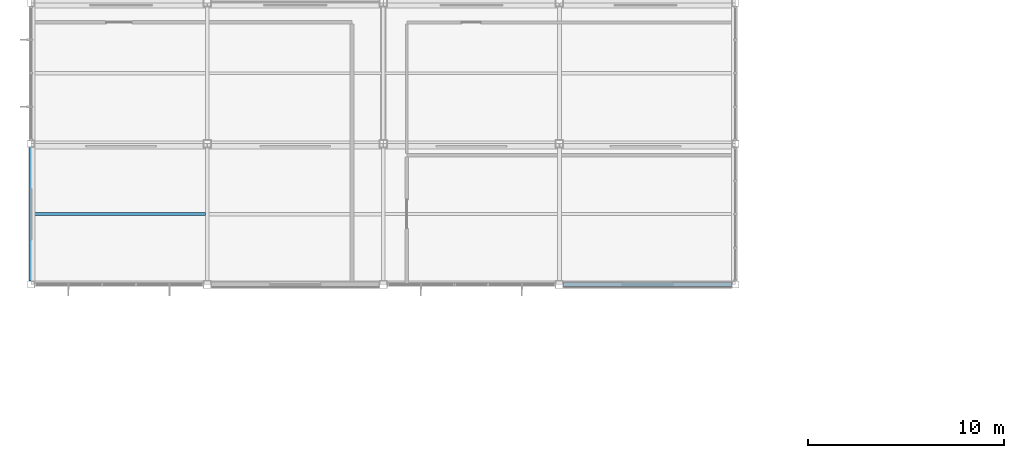
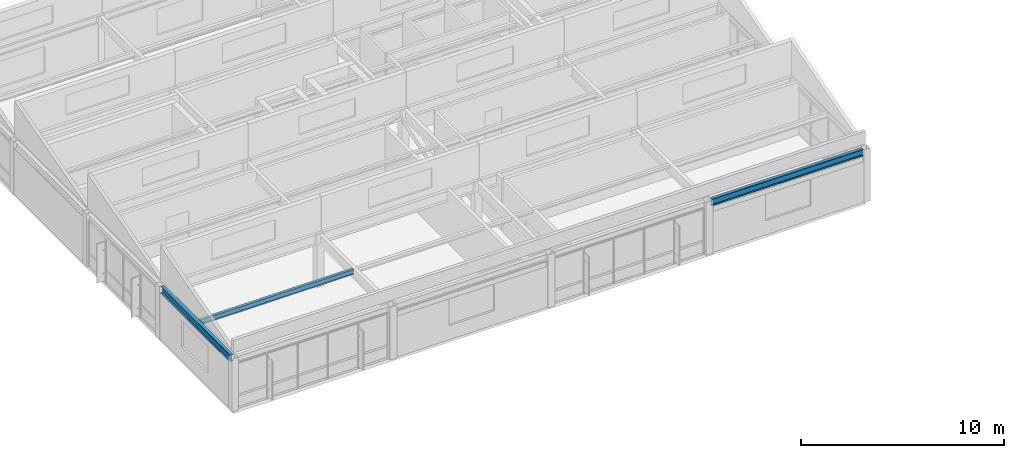
# One storey, part 7 of 43: 3 beams.
"""IFC4 building model written with IfcOpenShell, lengths in metres."""

from ifc_helpers import new_model, si_unit, direction, frame, origin, origin_2d, place, context, subcontext, project, spatial, i_section, extrude, material, material_profile, profile_set, type_object, element, save


model = new_model("IFC4")

# Units and contexts
model_context = context("Model", 3, precision=1e-05, world=origin(), true_north=direction((0.0, 1.0)))
body_context = subcontext(model_context, "Body", "Model", "MODEL_VIEW")
ifc_project = project(units=[si_unit("LENGTHUNIT", "METRE"), si_unit("AREAUNIT", "SQUARE_METRE"), si_unit("VOLUMEUNIT", "CUBIC_METRE"), si_unit("PLANEANGLEUNIT", "RADIAN"), si_unit("MASSUNIT", "GRAM", prefix="KILO")], contexts=[model_context])

# Site, building, storey
site_placement = place(None, origin())
site = spatial("IfcSite", under=ifc_project, at=site_placement, CompositionType="ELEMENT")
building_placement = place(site_placement, origin())
building = spatial("IfcBuilding", under=site, at=building_placement, Name="Kazanami Central Library", CompositionType="ELEMENT")
storey_placement = place(building_placement, frame((0.0, 0.0, 20.60009765625)))
storey = spatial("IfcBuildingStorey", under=building, at=storey_placement, Name="L06", CompositionType="ELEMENT", Elevation=20.60009765625)

# Beams
ifc_material_1 = material(Name="Steel SN400B (235 MPa)", Category="steel")
ifc_material_profile_1 = material_profile(ifc_material_1, i_section(OverallWidth=0.14990234375, OverallDepth=0.300048828125, WebThickness=0.006591796875, FlangeThickness=0.009033203125, at=origin_2d()), Name="H-300x150x6.5x9")
ifc_profile_set_1 = profile_set([ifc_material_profile_1], Name="Steel SN400B (235 MPa)")
beam_type_1 = type_object("IfcBeamType", Name="BM-B-S4", PredefinedType="JOIST", material=ifc_profile_set_1)
beam_1_placement = place(storey_placement, frame((0.097900390625, 68.39990234375, 3.02978515625), z_axis=(1.0, 0.0, 0.0), x_axis=(0.0, 1.0, 0.0)))
element("IfcBeam", 1, at=beam_1_placement, inside=storey, type_object=beam_type_1, Name="Composite Secondary Joist B-S4 L06 Bay 1/K.1", PredefinedType="JOIST", context=body_context, shape_type="SweptSolid", body=[
    extrude(i_section(OverallWidth=0.14990234375, OverallDepth=0.300048828125, WebThickness=0.006591796875, FlangeThickness=0.009033203125, at=origin_2d()), origin(), (0.0, 0.0, 1.0), 8.80419921875),
])
ifc_material_2 = material(Name="Steel SN490B (325 MPa)", Category="steel")
ifc_material_profile_2 = material_profile(ifc_material_2, i_section(OverallWidth=0.199951171875, OverallDepth=0.39990234375, WebThickness=0.008056640625, FlangeThickness=0.012939453125, at=origin_2d()), Name="H-400x200x8x13")
ifc_profile_set_2 = profile_set([ifc_material_profile_2], Name="Steel SN490B (325 MPa)")
beam_type_2 = type_object("IfcBeamType", Name="BM-SP-3", PredefinedType="SPANDREL", material=ifc_profile_set_2)
beam_2_placement = place(storey_placement, frame((27.197998046875, 64.800048828125, 2.97998046875), z_axis=(1.0, 0.0, 0.0), x_axis=(0.0, 1.0, 0.0)))
element("IfcBeam", 2, at=beam_2_placement, inside=storey, type_object=beam_type_2, Name="Girder SP-3 L06 K/4-5", PredefinedType="SPANDREL", context=body_context, shape_type="SweptSolid", body=[
    extrude(i_section(OverallWidth=0.199951171875, OverallDepth=0.39990234375, WebThickness=0.008056640625, FlangeThickness=0.012939453125, at=origin_2d()), origin(), (0.0, 0.0, 1.0), 8.62890625),
])
beam_3_placement = place(storey_placement, frame((0.0, 64.972900390625, 2.97998046875), z_axis=(0.0, 1.0, 0.0), x_axis=(-1.0, 0.0, 0.0)))
element("IfcBeam", 3, at=beam_3_placement, inside=storey, type_object=beam_type_2, Name="Girder SP-3 L06 1/K-L", PredefinedType="SPANDREL", context=body_context, shape_type="SweptSolid", body=[
    extrude(i_section(OverallWidth=0.199951171875, OverallDepth=0.39990234375, WebThickness=0.008056640625, FlangeThickness=0.012939453125, at=origin_2d()), origin(), (0.0, 0.0, 1.0), 6.85400390625),
])

save(model, "model.ifc")
